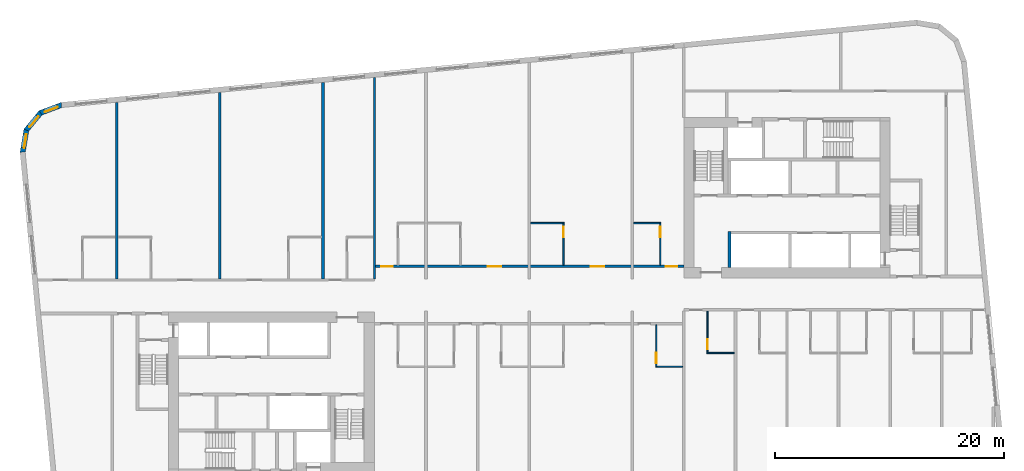
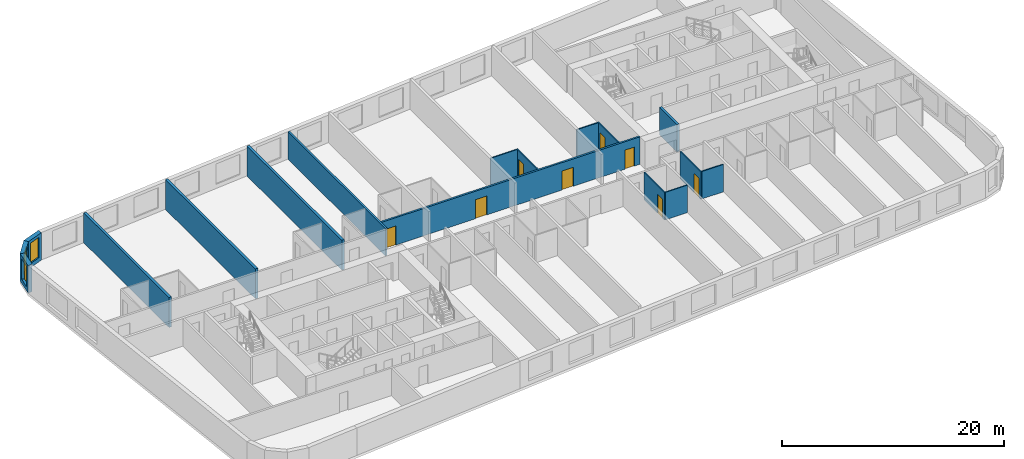
# One storey, part 5 of 12: 17 walls, 8 doors, 3 windows, 11 openings.
"""IFC4 building model written with IfcOpenShell, lengths in metres."""

from ifc_helpers import new_model, si_unit, direction, frame, frame_2d, origin, place, context, subcontext, project, spatial, polyline, rectangle, outline, extrude, material, layer, layer_set, type_object, element, fill, save


model = new_model("IFC4")

# Units and contexts
model_context = context("Model", 3, precision=1e-05, world=origin(), true_north=direction((0.0, 1.0)))
body_context = subcontext(model_context, "Body", "Model", "MODEL_VIEW")
ifc_project = project(units=[si_unit("LENGTHUNIT", "METRE"), si_unit("AREAUNIT", "SQUARE_METRE"), si_unit("VOLUMEUNIT", "CUBIC_METRE"), si_unit("PLANEANGLEUNIT", "RADIAN"), si_unit("MASSUNIT", "GRAM", prefix="KILO")], contexts=[model_context])

# Site, building, storey
site_placement = place(None, origin())
site = spatial("IfcSite", under=ifc_project, at=site_placement, CompositionType="ELEMENT")
building_placement = place(site_placement, origin())
building = spatial("IfcBuilding", under=site, at=building_placement, Name="Kajstack Hotel Tower", CompositionType="ELEMENT")
storey_placement = place(building_placement, frame((0.0, 0.0, 190.0)))
storey = spatial("IfcBuildingStorey", under=building, at=storey_placement, Name="L45", CompositionType="ELEMENT", Elevation=190.0)

# Wall, openings, doors
ifc_material_1 = material(Name="Gypsum board on steel studs, mineral wool", Category="steel")
ifc_layer_1 = layer(ifc_material_1, 0.199951171875)
ifc_layer_set_1 = layer_set([ifc_layer_1], Name="Corridor wall 200")
wall_type_1 = type_object("IfcWallType", Name="Corridor wall 200", PredefinedType="PARTITIONING", material=ifc_layer_set_1)
wall_1_placement = place(storey_placement, frame((-13.5, 2.5, 0.0), z_axis=(0.0, 0.0, 1.0), x_axis=(1.0, 0.0, 0.0)))
wall_1 = element("IfcWall", 1, at=wall_1_placement, inside=storey, type_object=wall_type_1, Name="G-wall-L45-004", PredefinedType="PARTITIONING", context=body_context, shape_type="SweptSolid", body=[
    extrude(rectangle(XDim=27.0, YDim=0.199951171875, at=frame_2d((13.5, 0.0))), origin(), (0.0, 0.0, 1.0), 3.02001953125),
])
opening_1_placement = place(wall_1_placement, frame((0.574951171875, 0.0, 0.0)))
opening_1 = element("IfcOpeningElement", 2, at=opening_1_placement, cuts=wall_1, Name="Opening 45009", PredefinedType="OPENING", context=body_context, shape_type="SweptSolid", body=[
    extrude(rectangle(XDim=1.0, YDim=2.10009765625, at=frame_2d((0.5, 1.050048828125))), frame((0.0, 0.10986328125, 0.0), z_axis=(0.0, -1.0, 0.0), x_axis=(1.0, 0.0, 0.0)), (0.0, 0.0, 1.0), 0.219970703125),
])
opening_2_placement = place(wall_1_placement, frame((9.863037109375, 0.0, 0.0)))
opening_2 = element("IfcOpeningElement", 3, at=opening_2_placement, cuts=wall_1, Name="Opening 45011", PredefinedType="OPENING", context=body_context, shape_type="SweptSolid", body=[
    extrude(rectangle(XDim=1.199951171875, YDim=2.10009765625, at=frame_2d((0.60009765625, 1.050048828125))), frame((0.0, 0.10986328125, 0.0), z_axis=(0.0, -1.0, 0.0), x_axis=(1.0, 0.0, 0.0)), (0.0, 0.0, 1.0), 0.219970703125),
])
opening_3_placement = place(wall_1_placement, frame((18.862060546875, 0.0, 0.0)))
opening_3 = element("IfcOpeningElement", 4, at=opening_3_placement, cuts=wall_1, Name="Opening 45013", PredefinedType="OPENING", context=body_context, shape_type="SweptSolid", body=[
    extrude(rectangle(XDim=1.199951171875, YDim=2.10009765625, at=frame_2d((0.60009765625, 1.050048828125))), frame((0.0, 0.10986328125, 0.0), z_axis=(0.0, -1.0, 0.0), x_axis=(1.0, 0.0, 0.0)), (0.0, 0.0, 1.0), 0.219970703125),
])
opening_4_placement = place(wall_1_placement, frame((25.425048828125, 0.0, 0.0)))
opening_4 = element("IfcOpeningElement", 5, at=opening_4_placement, cuts=wall_1, Name="Opening 45015", PredefinedType="OPENING", context=body_context, shape_type="SweptSolid", body=[
    extrude(rectangle(XDim=1.0, YDim=2.10009765625, at=frame_2d((0.5, 1.050048828125))), frame((0.0, 0.10986328125, 0.0), z_axis=(0.0, -1.0, 0.0), x_axis=(1.0, 0.0, 0.0)), (0.0, 0.0, 1.0), 0.219970703125),
])
ifc_material_2 = material(Name="Oak veneer on timber core, fire-rated leaf", Category="wood")
door_type_1 = type_object("IfcDoorType", Name="Flat entrance door 1000", OperationType="SINGLE_SWING_LEFT", PredefinedType="DOOR", material=ifc_material_2)
door_1_placement = place(opening_1_placement, origin())
door_1 = element("IfcDoor", 6, at=door_1_placement, inside=storey, type_object=door_type_1, Name="G-door-L45-09", OperationType="SINGLE_SWING_RIGHT", OverallHeight=2.10009765625, OverallWidth=1.0, PredefinedType="DOOR", context=body_context, shape_type="SweptSolid", body=[
    extrude(rectangle(XDim=1.0, YDim=2.10009765625, at=frame_2d((0.5, 1.050048828125))), frame((0.0, 0.02490234375, 0.0), z_axis=(0.0, -1.0, 0.0), x_axis=(1.0, 0.0, 0.0)), (0.0, 0.0, 1.0), 0.050048828125),
])
fill(opening_1, door_1)
door_2_placement = place(opening_4_placement, origin())
door_2 = element("IfcDoor", 7, at=door_2_placement, inside=storey, type_object=door_type_1, Name="G-door-L45-15", OperationType="SINGLE_SWING_RIGHT", OverallHeight=2.10009765625, OverallWidth=1.0, PredefinedType="DOOR", context=body_context, shape_type="SweptSolid", body=[
    extrude(rectangle(XDim=1.0, YDim=2.10009765625, at=frame_2d((0.5, 1.050048828125))), frame((0.0, 0.02490234375, 0.0), z_axis=(0.0, -1.0, 0.0), x_axis=(1.0, 0.0, 0.0)), (0.0, 0.0, 1.0), 0.050048828125),
])
fill(opening_4, door_2)
door_type_2 = type_object("IfcDoorType", Name="Flat entrance door 1200", OperationType="SINGLE_SWING_LEFT", PredefinedType="DOOR", material=ifc_material_2)
door_3_placement = place(opening_2_placement, origin())
door_3 = element("IfcDoor", 8, at=door_3_placement, inside=storey, type_object=door_type_2, Name="G-door-L45-11", OperationType="SINGLE_SWING_LEFT", OverallHeight=2.10009765625, OverallWidth=1.199951171875, PredefinedType="DOOR", context=body_context, shape_type="SweptSolid", body=[
    extrude(rectangle(XDim=1.199951171875, YDim=2.10009765625, at=frame_2d((0.60009765625, 1.050048828125))), frame((0.0, 0.02490234375, 0.0), z_axis=(0.0, -1.0, 0.0), x_axis=(1.0, 0.0, 0.0)), (0.0, 0.0, 1.0), 0.050048828125),
])
fill(opening_2, door_3)
door_4_placement = place(opening_3_placement, origin())
door_4 = element("IfcDoor", 9, at=door_4_placement, inside=storey, type_object=door_type_2, Name="G-door-L45-13", OperationType="SINGLE_SWING_LEFT", OverallHeight=2.10009765625, OverallWidth=1.199951171875, PredefinedType="DOOR", context=body_context, shape_type="SweptSolid", body=[
    extrude(rectangle(XDim=1.199951171875, YDim=2.10009765625, at=frame_2d((0.60009765625, 1.050048828125))), frame((0.0, 0.02490234375, 0.0), z_axis=(0.0, -1.0, 0.0), x_axis=(1.0, 0.0, 0.0)), (0.0, 0.0, 1.0), 0.050048828125),
])
fill(opening_3, door_4)

# Wall
ifc_material_3 = material(Name="Twin-frame gypsum board on steel studs, mineral wool", Category="steel")
ifc_layer_2 = layer(ifc_material_3, 0.199951171875)
ifc_layer_set_2 = layer_set([ifc_layer_2], Name="Demising wall 200")
wall_type_2 = type_object("IfcWallType", Name="Demising wall 200", PredefinedType="PARTITIONING", material=ifc_layer_set_2)
wall_2_placement = place(storey_placement, frame((-13.5, 1.39990234375, 0.0), z_axis=(0.0, 0.0, 1.0), x_axis=(0.0, 1.0, 0.0)))
element("IfcWall", 10, at=wall_2_placement, inside=storey, type_object=wall_type_2, Name="G-wall-L45-011", PredefinedType="PARTITIONING", context=body_context, shape_type="SweptSolid", body=[
    extrude(rectangle(XDim=17.590087890625, YDim=0.199951171875, at=frame_2d((8.794921875, 0.0))), origin(), (0.0, 0.0, 1.0), 3.02001953125),
])

# Wall, opening, window
ifc_material_4 = material(Name="Terracotta-faced brick masonry", Category="masonry")
ifc_layer_3 = layer(ifc_material_4, 0.449951171875)
ifc_layer_set_3 = layer_set([ifc_layer_3], Name="EW-TERRA")
wall_type_3 = type_object("IfcWallType", Name="EW-TERRA", PredefinedType="SOLIDWALL", material=ifc_layer_set_3)
wall_3_placement = place(storey_placement, frame((-40.76123046875, 16.598388671875, 0.0), z_axis=(0.0, 0.0, 1.0), x_axis=(-0.936677599948, -0.350192909346, 0.0)))
wall_3 = element("IfcWall", 11, at=wall_3_placement, inside=storey, type_object=wall_type_3, Name="E-wall-L45-13-00", PredefinedType="SOLIDWALL", context=body_context, shape_type="SweptSolid", body=[
    extrude(outline(polyline([(0.0, -0.22509765625), (2.070556640625, -0.224853515625), (1.949951171875, 0.22509765625), (0.12060546875, 0.22509765625), (0.0, -0.22509765625)])), origin(), (0.0, 0.0, 1.0), 3.02001953125),
])
opening_5_placement = place(wall_3_placement, frame((0.435302734375, 0.0, 0.449951171875)))
opening_5 = element("IfcOpeningElement", 12, at=opening_5_placement, cuts=wall_3, Name="Opening W3", PredefinedType="OPENING", context=body_context, shape_type="SweptSolid", body=[
    extrude(rectangle(XDim=1.199951171875, YDim=2.25, at=frame_2d((0.60009765625, 1.125))), frame((0.0, 0.23486328125, 0.0), z_axis=(0.0, -1.0, 0.0), x_axis=(1.0, 0.0, 0.0)), (0.0, 0.0, 1.0), 0.469970703125),
])
ifc_material_5 = material(Name="Timber-aluminium window, triple glazed", Category="wood")
window_type = type_object("IfcWindowType", Name="WG3", PartitioningType="SINGLE_PANEL", PredefinedType="WINDOW", material=ifc_material_5)
window_1_placement = place(opening_5_placement, origin())
window_1 = element("IfcWindow", 13, at=window_1_placement, inside=storey, type_object=window_type, Name="Window W3 L45-13", OverallHeight=2.25, OverallWidth=1.199951171875, PartitioningType="SINGLE_PANEL", PredefinedType="WINDOW", context=body_context, shape_type="SweptSolid", body=[
    extrude(rectangle(XDim=1.199951171875, YDim=2.25, at=frame_2d((0.60009765625, 1.125))), frame((0.0, 0.090087890625, 0.0), z_axis=(0.0, -1.0, 0.0), x_axis=(1.0, 0.0, 0.0)), (0.0, 0.0, 1.0), 0.06005859375),
])
fill(opening_5, window_1)

wall_4_placement = place(storey_placement, frame((-42.60595703125, 15.94091796875, 0.0), z_axis=(0.0, 0.0, 1.0), x_axis=(-0.636116318187, -0.771593176315, 0.0)))
wall_4 = element("IfcWall", 14, at=wall_4_placement, inside=storey, type_object=wall_type_3, Name="E-wall-L45-14-00", PredefinedType="SOLIDWALL", context=body_context, shape_type="SweptSolid", body=[
    extrude(outline(polyline([(0.0, -0.224853515625), (2.070556640625, -0.224853515625), (1.949951171875, 0.22509765625), (0.12060546875, 0.22509765625), (0.0, -0.224853515625)])), origin(), (0.0, 0.0, 1.0), 3.02001953125),
])
opening_6_placement = place(wall_4_placement, frame((0.435302734375, 0.0, 0.449951171875)))
opening_6 = element("IfcOpeningElement", 15, at=opening_6_placement, cuts=wall_4, Name="Opening W3", PredefinedType="OPENING", context=body_context, shape_type="SweptSolid", body=[
    extrude(rectangle(XDim=1.199951171875, YDim=2.25, at=frame_2d((0.60009765625, 1.125))), frame((0.0, 0.23486328125, 0.0), z_axis=(0.0, -1.0, 0.0), x_axis=(1.0, 0.0, 0.0)), (0.0, 0.0, 1.0), 0.469970703125),
])
window_2_placement = place(opening_6_placement, origin())
window_2 = element("IfcWindow", 16, at=window_2_placement, inside=storey, type_object=window_type, Name="Window W3 L45-14", OverallHeight=2.25, OverallWidth=1.199951171875, PartitioningType="SINGLE_PANEL", PredefinedType="WINDOW", context=body_context, shape_type="SweptSolid", body=[
    extrude(rectangle(XDim=1.199951171875, YDim=2.25, at=frame_2d((0.60009765625, 1.125))), frame((0.0, 0.090087890625, 0.0), z_axis=(0.0, -1.0, 0.0), x_axis=(1.0, 0.0, 0.0)), (0.0, 0.0, 1.0), 0.06005859375),
])
fill(opening_6, window_2)

wall_5_placement = place(storey_placement, frame((-43.874755859375, 14.44921875, 0.0), z_axis=(0.0, 0.0, 1.0), x_axis=(-0.164953448126, -0.986301353518, 0.0)))
wall_5 = element("IfcWall", 17, at=wall_5_placement, inside=storey, type_object=wall_type_3, Name="E-wall-L45-15-00", PredefinedType="SOLIDWALL", context=body_context, shape_type="SweptSolid", body=[
    extrude(outline(polyline([(0.0, -0.224853515625), (2.070556640625, -0.22509765625), (1.9501953125, 0.224853515625), (0.12060546875, 0.22509765625), (0.0, -0.224853515625)])), origin(), (0.0, 0.0, 1.0), 3.02001953125),
])
opening_7_placement = place(wall_5_placement, frame((0.435302734375, 0.0, 0.449951171875)))
opening_7 = element("IfcOpeningElement", 18, at=opening_7_placement, cuts=wall_5, Name="Opening W3", PredefinedType="OPENING", context=body_context, shape_type="SweptSolid", body=[
    extrude(rectangle(XDim=1.199951171875, YDim=2.25, at=frame_2d((0.60009765625, 1.125))), frame((0.0, 0.23486328125, 0.0), z_axis=(0.0, -1.0, 0.0), x_axis=(1.0, 0.0, 0.0)), (0.0, 0.0, 1.0), 0.469970703125),
])
window_3_placement = place(opening_7_placement, origin())
window_3 = element("IfcWindow", 19, at=window_3_placement, inside=storey, type_object=window_type, Name="Window W3 L45-15", OverallHeight=2.25, OverallWidth=1.199951171875, PartitioningType="SINGLE_PANEL", PredefinedType="WINDOW", context=body_context, shape_type="SweptSolid", body=[
    extrude(rectangle(XDim=1.199951171875, YDim=2.25, at=frame_2d((0.60009765625, 1.125))), frame((0.0, 0.090087890625, 0.0), z_axis=(0.0, -1.0, 0.0), x_axis=(1.0, 0.0, 0.0)), (0.0, 0.0, 1.0), 0.06005859375),
])
fill(opening_7, window_3)

# Wall, opening, door
ifc_material_6 = material(Name="Gypsum board and tiled backer on steel studs", Category="steel")
ifc_layer_4 = layer(ifc_material_6, 0.125)
ifc_layer_set_4 = layer_set([ifc_layer_4], Name="En-suite wall 125")
wall_type_4 = type_object("IfcWallType", Name="En-suite wall 125", PredefinedType="PARTITIONING", material=ifc_layer_set_4)
wall_6_placement = place(storey_placement, frame((2.987060546875, 2.60009765625, 0.0), z_axis=(0.0, 0.0, 1.0), x_axis=(0.0, 1.0, 0.0)))
wall_6 = element("IfcWall", 20, at=wall_6_placement, inside=storey, type_object=wall_type_4, Name="G-wall-L45-018", PredefinedType="PARTITIONING", context=body_context, shape_type="SweptSolid", body=[
    extrude(rectangle(XDim=3.724853515625, YDim=0.125, at=frame_2d((1.8623046875, 0.0))), origin(), (0.0, 0.0, 1.0), 3.02001953125),
])
opening_8_placement = place(wall_6_placement, frame((2.449951171875, 0.0, 0.0)))
opening_8 = element("IfcOpeningElement", 21, at=opening_8_placement, cuts=wall_6, Name="Opening 45014", PredefinedType="OPENING", context=body_context, shape_type="SweptSolid", body=[
    extrude(rectangle(XDim=0.89990234375, YDim=2.10009765625, at=frame_2d((0.449951171875, 1.050048828125))), frame((0.0, 0.072509765625, 0.0), z_axis=(0.0, -1.0, 0.0), x_axis=(1.0, 0.0, 0.0)), (0.0, 0.0, 1.0), 0.14501953125),
])
ifc_material_7 = material(Name="Painted timber door leaf", Category="wood")
door_type_3 = type_object("IfcDoorType", Name="Room door 900", OperationType="SINGLE_SWING_LEFT", PredefinedType="DOOR", material=ifc_material_7)
door_5_placement = place(opening_8_placement, origin())
door_5 = element("IfcDoor", 22, at=door_5_placement, inside=storey, type_object=door_type_3, Name="G-door-L45-14", OperationType="SINGLE_SWING_RIGHT", OverallHeight=2.10009765625, OverallWidth=0.89990234375, PredefinedType="DOOR", context=body_context, shape_type="SweptSolid", body=[
    extrude(rectangle(XDim=0.89990234375, YDim=2.10009765625, at=frame_2d((0.449951171875, 1.050048828125))), frame((0.0, 0.02490234375, 0.0), z_axis=(0.0, -1.0, 0.0), x_axis=(1.0, 0.0, 0.0)), (0.0, 0.0, 1.0), 0.050048828125),
])
fill(opening_8, door_5)

# Wall
wall_7_placement = place(storey_placement, frame((0.125, 6.262939453125, 0.0), z_axis=(0.0, 0.0, 1.0), x_axis=(1.0, 0.0, 0.0)))
element("IfcWall", 23, at=wall_7_placement, inside=storey, type_object=wall_type_4, Name="G-wall-L45-019", PredefinedType="PARTITIONING", context=body_context, shape_type="SweptSolid", body=[
    extrude(rectangle(XDim=2.800048828125, YDim=0.125, at=frame_2d((1.39990234375, 0.0))), origin(), (0.0, 0.0, 1.0), 3.02001953125),
])

# Wall, opening, door
wall_8_placement = place(storey_placement, frame((11.43798828125, 2.60009765625, 0.0), z_axis=(0.0, 0.0, 1.0), x_axis=(0.0, 1.0, 0.0)))
wall_8 = element("IfcWall", 24, at=wall_8_placement, inside=storey, type_object=wall_type_4, Name="G-wall-L45-020", PredefinedType="PARTITIONING", context=body_context, shape_type="SweptSolid", body=[
    extrude(rectangle(XDim=3.724853515625, YDim=0.125, at=frame_2d((1.8623046875, 0.0))), origin(), (0.0, 0.0, 1.0), 3.02001953125),
])
opening_9_placement = place(wall_8_placement, frame((2.449951171875, 0.0, 0.0)))
opening_9 = element("IfcOpeningElement", 25, at=opening_9_placement, cuts=wall_8, Name="Opening 45016", PredefinedType="OPENING", context=body_context, shape_type="SweptSolid", body=[
    extrude(rectangle(XDim=0.89990234375, YDim=2.10009765625, at=frame_2d((0.449951171875, 1.050048828125))), frame((0.0, 0.072509765625, 0.0), z_axis=(0.0, -1.0, 0.0), x_axis=(1.0, 0.0, 0.0)), (0.0, 0.0, 1.0), 0.14501953125),
])
door_6_placement = place(opening_9_placement, origin())
door_6 = element("IfcDoor", 26, at=door_6_placement, inside=storey, type_object=door_type_3, Name="G-door-L45-16", OperationType="SINGLE_SWING_RIGHT", OverallHeight=2.10009765625, OverallWidth=0.89990234375, PredefinedType="DOOR", context=body_context, shape_type="SweptSolid", body=[
    extrude(rectangle(XDim=0.89990234375, YDim=2.10009765625, at=frame_2d((0.449951171875, 1.050048828125))), frame((0.0, 0.02490234375, 0.0), z_axis=(0.0, -1.0, 0.0), x_axis=(1.0, 0.0, 0.0)), (0.0, 0.0, 1.0), 0.050048828125),
])
fill(opening_9, door_6)

# Wall
wall_9_placement = place(storey_placement, frame((9.125, 6.262939453125, 0.0), z_axis=(0.0, 0.0, 1.0), x_axis=(1.0, 0.0, 0.0)))
element("IfcWall", 27, at=wall_9_placement, inside=storey, type_object=wall_type_4, Name="G-wall-L45-021", PredefinedType="PARTITIONING", context=body_context, shape_type="SweptSolid", body=[
    extrude(rectangle(XDim=2.25, YDim=0.125, at=frame_2d((1.125, 0.0))), origin(), (0.0, 0.0, 1.0), 3.02001953125),
])

# Wall, opening, door
wall_10_placement = place(storey_placement, frame((11.087890625, -6.324951171875, 0.0), z_axis=(0.0, 0.0, 1.0), x_axis=(0.0, 1.0, 0.0)))
wall_10 = element("IfcWall", 28, at=wall_10_placement, inside=storey, type_object=wall_type_4, Name="G-wall-L45-034", PredefinedType="PARTITIONING", context=body_context, shape_type="SweptSolid", body=[
    extrude(rectangle(XDim=3.724853515625, YDim=0.125, at=frame_2d((1.8623046875, 0.0))), origin(), (0.0, 0.0, 1.0), 3.02001953125),
])
opening_10_placement = place(wall_10_placement, frame((0.375, 0.0, 0.0)))
opening_10 = element("IfcOpeningElement", 29, at=opening_10_placement, cuts=wall_10, Name="Opening 45026", PredefinedType="OPENING", context=body_context, shape_type="SweptSolid", body=[
    extrude(rectangle(XDim=0.89990234375, YDim=2.10009765625, at=frame_2d((0.449951171875, 1.050048828125))), frame((0.0, 0.072509765625, 0.0), z_axis=(0.0, -1.0, 0.0), x_axis=(1.0, 0.0, 0.0)), (0.0, 0.0, 1.0), 0.14501953125),
])
door_7_placement = place(opening_10_placement, origin())
door_7 = element("IfcDoor", 30, at=door_7_placement, inside=storey, type_object=door_type_3, Name="G-door-L45-26", OperationType="SINGLE_SWING_LEFT", OverallHeight=2.10009765625, OverallWidth=0.89990234375, PredefinedType="DOOR", context=body_context, shape_type="SweptSolid", body=[
    extrude(rectangle(XDim=0.89990234375, YDim=2.10009765625, at=frame_2d((0.449951171875, 1.050048828125))), frame((0.0, 0.02490234375, 0.0), z_axis=(0.0, -1.0, 0.0), x_axis=(1.0, 0.0, 0.0)), (0.0, 0.0, 1.0), 0.050048828125),
])
fill(opening_10, door_7)

# Wall
wall_11_placement = place(storey_placement, frame((11.14990234375, -6.262939453125, 0.0), z_axis=(0.0, 0.0, 1.0), x_axis=(1.0, 0.0, 0.0)))
element("IfcWall", 31, at=wall_11_placement, inside=storey, type_object=wall_type_4, Name="G-wall-L45-035", PredefinedType="PARTITIONING", context=body_context, shape_type="SweptSolid", body=[
    extrude(rectangle(XDim=2.25, YDim=0.125, at=frame_2d((1.125, 0.0))), origin(), (0.0, 0.0, 1.0), 3.02001953125),
])

# Wall, opening, door
wall_12_placement = place(storey_placement, frame((15.56201171875, -5.125, 0.0), z_axis=(0.0, 0.0, 1.0), x_axis=(0.0, 1.0, 0.0)))
wall_12 = element("IfcWall", 32, at=wall_12_placement, inside=storey, type_object=wall_type_4, Name="G-wall-L45-036", PredefinedType="PARTITIONING", context=body_context, shape_type="SweptSolid", body=[
    extrude(rectangle(XDim=3.72509765625, YDim=0.125, at=frame_2d((1.862548828125, 0.0))), origin(), (0.0, 0.0, 1.0), 3.02001953125),
])
opening_11_placement = place(wall_12_placement, frame((0.375, 0.0, 0.0)))
opening_11 = element("IfcOpeningElement", 33, at=opening_11_placement, cuts=wall_12, Name="Opening 45028", PredefinedType="OPENING", context=body_context, shape_type="SweptSolid", body=[
    extrude(rectangle(XDim=0.89990234375, YDim=2.10009765625, at=frame_2d((0.449951171875, 1.050048828125))), frame((0.0, 0.072509765625, 0.0), z_axis=(0.0, -1.0, 0.0), x_axis=(1.0, 0.0, 0.0)), (0.0, 0.0, 1.0), 0.14501953125),
])
door_8_placement = place(opening_11_placement, origin())
door_8 = element("IfcDoor", 34, at=door_8_placement, inside=storey, type_object=door_type_3, Name="G-door-L45-28", OperationType="SINGLE_SWING_LEFT", OverallHeight=2.10009765625, OverallWidth=0.89990234375, PredefinedType="DOOR", context=body_context, shape_type="SweptSolid", body=[
    extrude(rectangle(XDim=0.89990234375, YDim=2.10009765625, at=frame_2d((0.449951171875, 1.050048828125))), frame((0.0, 0.02490234375, 0.0), z_axis=(0.0, -1.0, 0.0), x_axis=(1.0, 0.0, 0.0)), (0.0, 0.0, 1.0), 0.050048828125),
])
fill(opening_11, door_8)

# Walls
wall_13_placement = place(storey_placement, frame((15.625, -5.06201171875, 0.0), z_axis=(0.0, 0.0, 1.0), x_axis=(1.0, 0.0, 0.0)))
element("IfcWall", 35, at=wall_13_placement, inside=storey, type_object=wall_type_4, Name="G-wall-L45-037", PredefinedType="PARTITIONING", context=body_context, shape_type="SweptSolid", body=[
    extrude(rectangle(XDim=2.25, YDim=0.125, at=frame_2d((1.125, 0.0))), origin(), (0.0, 0.0, 1.0), 3.02001953125),
])
ifc_material_8 = material(Name="Concrete C50/60", Category="concrete")
ifc_layer_5 = layer(ifc_material_8, 0.25)
ifc_layer_set_5 = layer_set([ifc_layer_5], Name="RC cross wall 250 C50/60")
wall_type_5 = type_object("IfcWallType", Name="RC cross wall 250 C50/60", PredefinedType="SHEAR", material=ifc_layer_set_5)
wall_14_placement = place(storey_placement, frame((-36.0, 1.39990234375, 0.0), z_axis=(0.0, 0.0, 1.0), x_axis=(0.0, 1.0, 0.0)))
element("IfcWall", 36, at=wall_14_placement, inside=storey, type_object=wall_type_5, Name="S-wall-L45-01", PredefinedType="SHEAR", context=body_context, shape_type="SweptSolid", body=[
    extrude(rectangle(XDim=15.401123046875, YDim=0.25, at=frame_2d((7.70068359375, 0.0))), origin(), (0.0, 0.0, 1.0), 3.300048828125),
])
wall_15_placement = place(storey_placement, frame((-27.0, 1.39990234375, 0.0), z_axis=(0.0, 0.0, 1.0), x_axis=(0.0, 1.0, 0.0)))
element("IfcWall", 37, at=wall_15_placement, inside=storey, type_object=wall_type_5, Name="S-wall-L45-02", PredefinedType="SHEAR", context=body_context, shape_type="SweptSolid", body=[
    extrude(rectangle(XDim=16.267578125, YDim=0.25, at=frame_2d((8.1337890625, 0.0))), origin(), (0.0, 0.0, 1.0), 3.300048828125),
])
wall_16_placement = place(storey_placement, frame((-18.0, 1.39990234375, 0.0), z_axis=(0.0, 0.0, 1.0), x_axis=(0.0, 1.0, 0.0)))
element("IfcWall", 38, at=wall_16_placement, inside=storey, type_object=wall_type_5, Name="S-wall-L45-03", PredefinedType="SHEAR", context=body_context, shape_type="SweptSolid", body=[
    extrude(rectangle(XDim=17.13427734375, YDim=0.25, at=frame_2d((8.567138671875, 0.0))), origin(), (0.0, 0.0, 1.0), 3.300048828125),
])
ifc_layer_6 = layer(ifc_material_8, 0.25)
ifc_layer_set_6 = layer_set([ifc_layer_6], Name="Shaft wall 250")
wall_type_6 = type_object("IfcWallType", Name="Shaft wall 250", PredefinedType="SHEAR", material=ifc_layer_set_6)
wall_17_placement = place(storey_placement, frame((17.47509765625, 2.39990234375, 0.0), z_axis=(0.0, 0.0, 1.0), x_axis=(0.0, 1.0, 0.0)))
element("IfcWall", 39, at=wall_17_placement, inside=storey, type_object=wall_type_6, Name="Core wall E AE", PredefinedType="SHEAR", context=body_context, shape_type="SweptSolid", body=[
    extrude(rectangle(XDim=3.150146484375, YDim=0.25, at=frame_2d((1.5751953125, 0.0))), origin(), (0.0, 0.0, 1.0), 3.02001953125),
])

save(model, "model.ifc")
